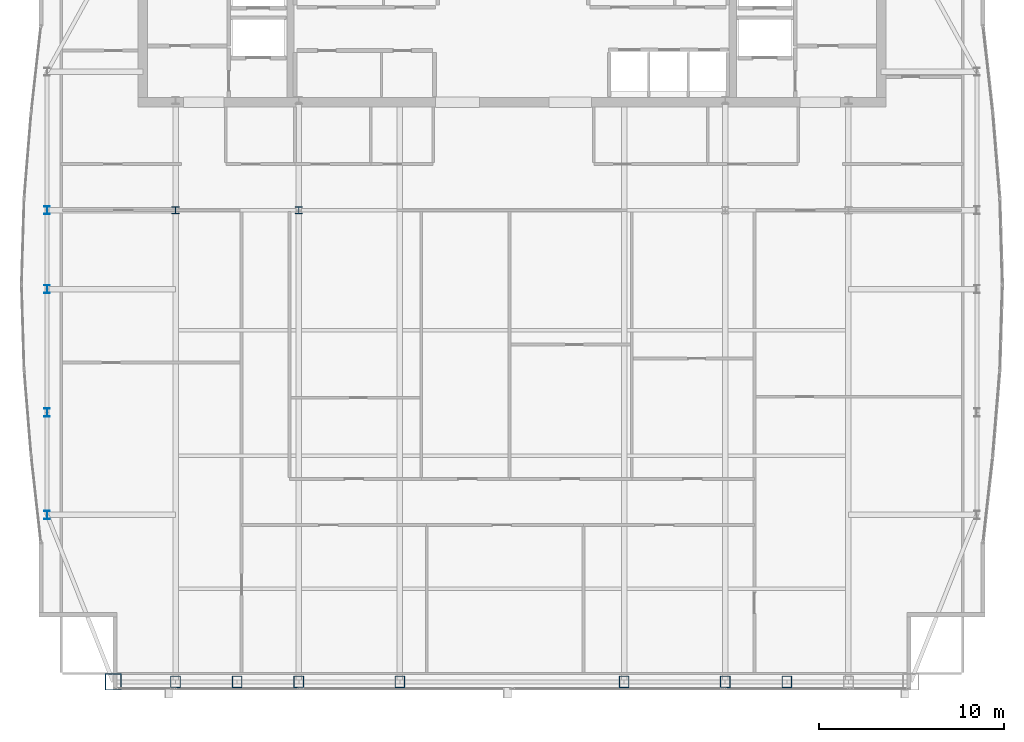
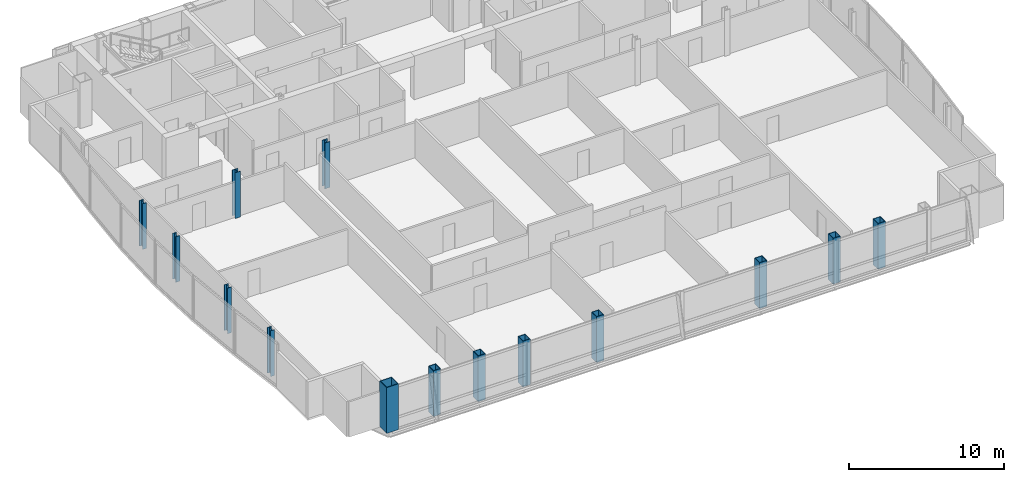
# One storey, part 1 of 25: 14 columns.
"""IFC4 building model written with IfcOpenShell, lengths in metres."""

from ifc_helpers import new_model, si_unit, direction, frame, origin, origin_2d, place, context, subcontext, project, spatial, hollow_rectangle, i_section, extrude, material, material_profile, profile_set, type_object, element, save


model = new_model("IFC4")

# Units and contexts
model_context = context("Model", 3, precision=1e-05, world=origin(), true_north=direction((0.0, 1.0)))
body_context = subcontext(model_context, "Body", "Model", "MODEL_VIEW")
ifc_project = project(units=[si_unit("LENGTHUNIT", "METRE"), si_unit("AREAUNIT", "SQUARE_METRE"), si_unit("VOLUMEUNIT", "CUBIC_METRE"), si_unit("PLANEANGLEUNIT", "RADIAN"), si_unit("MASSUNIT", "GRAM", prefix="KILO")], contexts=[model_context])

# Site, building, storey
site_placement = place(None, origin())
site = spatial("IfcSite", under=ifc_project, at=site_placement, CompositionType="ELEMENT")
building_placement = place(site_placement, origin())
building = spatial("IfcBuilding", under=site, at=building_placement, Name="Khoronbel Lancet Exchange", CompositionType="ELEMENT")
storey_placement = place(building_placement, frame((0.0, 0.0, 295.0)))
storey = spatial("IfcBuildingStorey", under=building, at=storey_placement, Name="L76", CompositionType="ELEMENT", Elevation=295.0)

# Columns
ifc_material_1 = material(Name="Steel S460", Category="steel")
ifc_material_profile_1 = material_profile(ifc_material_1, hollow_rectangle(XDim=0.550048828125, YDim=0.64990234375, WallThickness=0.0400390625, at=origin_2d()), Name="BOX 650x550x40")
ifc_profile_set_1 = profile_set([ifc_material_profile_1], Name="Steel S460")
column_type_1 = type_object("IfcColumnType", Name="COL-EC4", PredefinedType="COLUMN", material=ifc_profile_set_1)
for number, where, z_axis, x_axis, name in (
    (1, (18.22509765625, 10.14990234375, 0.0), (0.0, 0.0, 1.0), (1.0, 0.0, 0.0), "Structural column SC-W1 L76"),
    (2, (21.5625, 10.14990234375, 0.0), (0.0, 0.0, 1.0), (1.0, 0.0, 0.0), "Structural column SC-WM L76"),
    (3, (24.89990234375, 10.14990234375, 0.0), (0.0, 0.0, 1.0), (1.0, 0.0, 0.0), "Structural column SC-W2 L76"),
    (4, (30.375, 10.14990234375, 0.0), (0.0, 0.0, 1.0), (1.0, 0.0, 0.0), "Structural column SC-C1 L76"),
    (5, (42.52490234375, 10.14990234375, 0.0), (0.0, 0.0, 1.0), (1.0, 0.0, 0.0), "Structural column SC-C2 L76"),
    (6, (48.0, 10.14990234375, 0.0), (0.0, 0.0, 1.0), (1.0, 0.0, 0.0), "Structural column SC-E1 L76"),
    (7, (51.33740234375, 10.14990234375, 0.0), (0.0, 0.0, 1.0), (1.0, 0.0, 0.0), "Structural column SC-EM L76"),
):
    element("IfcColumn", number, at=place(storey_placement, frame(where, z_axis=z_axis, x_axis=x_axis)), inside=storey, type_object=column_type_1, Name=name, PredefinedType="COLUMN", context=body_context, shape_type="SweptSolid", body=[
        extrude(hollow_rectangle(XDim=0.550048828125, YDim=0.64990234375, WallThickness=0.0400390625, at=origin_2d()), origin(), (0.0, 0.0, 1.0), 3.60009765625),
    ])
ifc_material_2 = material(Name="Steel S355", Category="steel")
ifc_material_profile_2 = material_profile(ifc_material_2, i_section(OverallWidth=0.39892578125, OverallDepth=0.39306640625, WebThickness=0.022705078125, FlangeThickness=0.03662109375, at=origin_2d()), Name="HD 400x287")
ifc_profile_set_2 = profile_set([ifc_material_profile_2], Name="Steel S355")
column_type_2 = type_object("IfcColumnType", Name="COL-IC4", PredefinedType="COLUMN", material=ifc_profile_set_2)
for number, where, z_axis, x_axis, name in (
    (8, (18.22509765625, 35.699951171875, 0.0), (0.0, 0.0, 1.0), (1.0, 0.0, 0.0), "Spine gravity column TC1 L76"),
    (9, (24.89990234375, 35.699951171875, 0.0), (0.0, 0.0, 1.0), (1.0, 0.0, 0.0), "Spine gravity column TC2 L76"),
):
    element("IfcColumn", number, at=place(storey_placement, frame(where, z_axis=z_axis, x_axis=x_axis)), inside=storey, type_object=column_type_2, Name=name, PredefinedType="COLUMN", context=body_context, shape_type="SweptSolid", body=[
        extrude(i_section(OverallWidth=0.39892578125, OverallDepth=0.39306640625, WebThickness=0.022705078125, FlangeThickness=0.03662109375, at=origin_2d()), origin(), (0.0, 0.0, 1.0), 3.60009765625),
    ])
ifc_material_profile_3 = material_profile(ifc_material_2, i_section(OverallWidth=0.300048828125, OverallDepth=0.449951171875, WebThickness=0.013916015625, FlangeThickness=0.02587890625, at=origin_2d()), Name="HEB 450")
ifc_profile_set_3 = profile_set([ifc_material_profile_3], Name="Steel S355")
column_type_3 = type_object("IfcColumnType", Name="COL-LC2", PredefinedType="COLUMN", material=ifc_profile_set_3)
for number, where, z_axis, x_axis, name in (
    (10, (11.27001953125, 19.199951171875, 0.0), (0.0, 0.0, 1.0), (1.0, 0.0, 0.0), "Structural column WC-1 L76"),
    (11, (11.27001953125, 24.75, 0.0), (0.0, 0.0, 1.0), (1.0, 0.0, 0.0), "Structural column WC-2 L76"),
    (12, (11.27001953125, 31.425048828125, 0.0), (0.0, 0.0, 1.0), (1.0, 0.0, 0.0), "Structural column WC-M L76"),
    (13, (11.27001953125, 35.699951171875, 0.0), (0.0, 0.0, 1.0), (1.0, 0.0, 0.0), "Structural column WC-3 L76"),
):
    element("IfcColumn", number, at=place(storey_placement, frame(where, z_axis=z_axis, x_axis=x_axis)), inside=storey, type_object=column_type_3, Name=name, PredefinedType="COLUMN", context=body_context, shape_type="SweptSolid", body=[
        extrude(i_section(OverallWidth=0.300048828125, OverallDepth=0.449951171875, WebThickness=0.013916015625, FlangeThickness=0.02587890625, at=origin_2d()), origin(), (0.0, 0.0, 1.0), 3.60009765625),
    ])
ifc_material_profile_4 = material_profile(ifc_material_1, hollow_rectangle(XDim=0.89990234375, YDim=0.89990234375, WallThickness=0.050048828125, at=origin_2d()), Name="BOX 900x900x50")
ifc_profile_set_4 = profile_set([ifc_material_profile_4], Name="Steel S460")
column_type_4 = type_object("IfcColumnType", Name="COL-MC7", PredefinedType="COLUMN", material=ifc_profile_set_4)
column_placement = place(storey_placement, frame((14.85009765625, 10.14990234375, 0.0), z_axis=(0.0, 0.0, 1.0), x_axis=(1.0, 0.0, 0.0)))
element("IfcColumn", 14, at=column_placement, inside=storey, type_object=column_type_4, Name="Structural column MC-SW L76", PredefinedType="COLUMN", context=body_context, shape_type="SweptSolid", body=[
    extrude(hollow_rectangle(XDim=0.89990234375, YDim=0.89990234375, WallThickness=0.050048828125, at=origin_2d()), origin(), (0.0, 0.0, 1.0), 3.60009765625),
])

save(model, "model.ifc")
